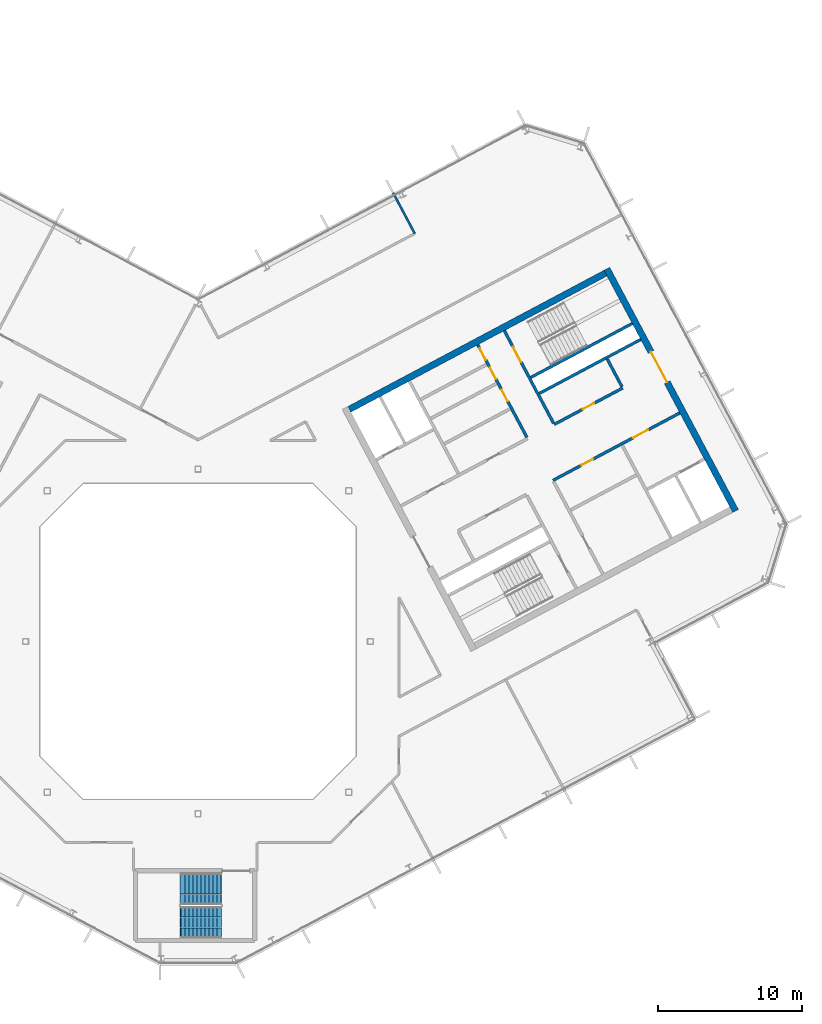
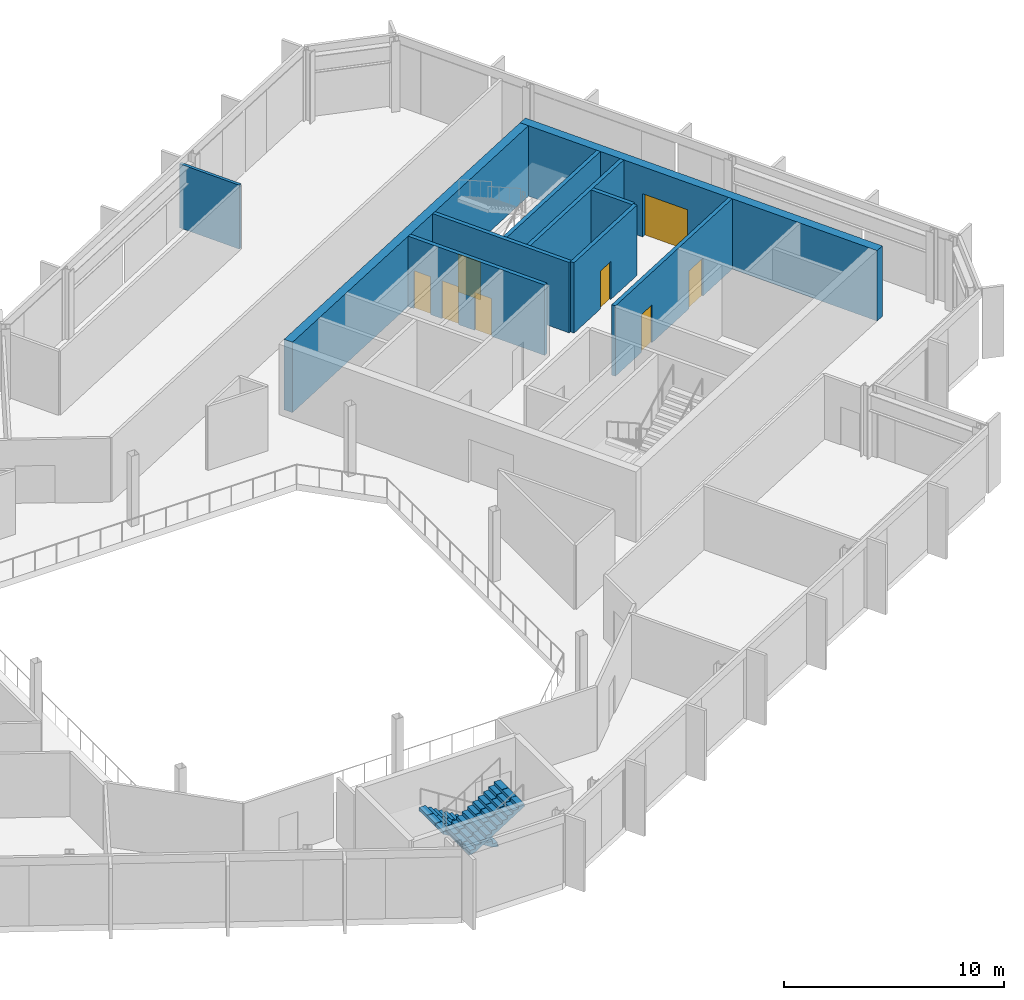
# One storey, part 16 of 25: 10 walls, 8 doors, 2 stair flights, 8 openings, 1 element without a shape of its own.
"""IFC4 building model written with IfcOpenShell, lengths in metres."""

from ifc_helpers import new_model, si_unit, direction, frame, frame_2d, origin, place, context, subcontext, project, spatial, polyline, rectangle, outline, extrude, material, layer, layer_set, type_object, element, fill, aggregate, save


model = new_model("IFC4")

# Units and contexts
model_context = context("Model", 3, precision=1e-05, world=origin(), true_north=direction((0.0, 1.0)))
body_context = subcontext(model_context, "Body", "Model", "MODEL_VIEW")
ifc_project = project(units=[si_unit("LENGTHUNIT", "METRE"), si_unit("AREAUNIT", "SQUARE_METRE"), si_unit("VOLUMEUNIT", "CUBIC_METRE"), si_unit("PLANEANGLEUNIT", "RADIAN"), si_unit("MASSUNIT", "GRAM", prefix="KILO")], contexts=[model_context])

# Site, building, storey
site_placement = place(None, origin())
site = spatial("IfcSite", under=ifc_project, at=site_placement, CompositionType="ELEMENT")
building_placement = place(site_placement, origin())
building = spatial("IfcBuilding", under=site, at=building_placement, Name="Cormorant Relay Tower", CompositionType="ELEMENT")
storey_placement = place(building_placement, frame((0.0, 0.0, 265.800048828125)))
storey = spatial("IfcBuildingStorey", under=building, at=storey_placement, Name="L59", CompositionType="ELEMENT", Elevation=265.800048828125)

# Wall, openings, doors
ifc_material_1 = material(Name="Concrete 50 MPa", Category="concrete")
ifc_layer_1 = layer(ifc_material_1, 0.199951171875)
ifc_layer_set_1 = layer_set([ifc_layer_1], Name="Core shaft wall 200")
wall_type_1 = type_object("IfcWallType", Name="Core shaft wall 200", PredefinedType="SHEAR", material=ifc_layer_set_1)
wall_1_placement = place(storey_placement, frame((22.90625, 14.218017578125, 0.0), z_axis=(0.0, 0.0, 1.0), x_axis=(-0.469480409012, 0.88294288918, 0.0)))
wall_1 = element("IfcWall", 1, at=wall_1_placement, inside=storey, type_object=wall_type_1, Name="L59 core B shaft wall", PredefinedType="SHEAR", context=body_context, shape_type="SweptSolid", body=[
    extrude(rectangle(XDim=7.300048828125, YDim=0.199951171875, at=frame_2d((3.64990234375, 0.0))), origin(), (0.0, 0.0, 1.0), 3.89990234375),
])
opening_1_placement = place(wall_1_placement, frame((2.85009765625, 0.0, 0.0)))
opening_1 = element("IfcOpeningElement", 2, at=opening_1_placement, cuts=wall_1, Name="Opening CDD-299", PredefinedType="OPENING", context=body_context, shape_type="SweptSolid", body=[
    extrude(rectangle(XDim=0.89990234375, YDim=2.10009765625, at=frame_2d((0.449951171875, 1.050048828125))), frame((0.0, 0.10986328125, 0.0), z_axis=(0.0, -1.0, 0.0), x_axis=(1.0, 0.0, 0.0)), (0.0, 0.0, 1.0), 0.219970703125),
])
opening_2_placement = place(wall_1_placement, frame((4.60009765625, 0.0, 0.0)))
opening_2 = element("IfcOpeningElement", 3, at=opening_2_placement, cuts=wall_1, Name="Opening CDD-300", PredefinedType="OPENING", context=body_context, shape_type="SweptSolid", body=[
    extrude(rectangle(XDim=0.89990234375, YDim=2.10009765625, at=frame_2d((0.449951171875, 1.050048828125))), frame((0.0, 0.10986328125, 0.0), z_axis=(0.0, -1.0, 0.0), x_axis=(1.0, 0.0, 0.0)), (0.0, 0.0, 1.0), 0.219970703125),
])
opening_3_placement = place(wall_1_placement, frame((6.10009765625, 0.0, 0.0)))
opening_3 = element("IfcOpeningElement", 4, at=opening_3_placement, cuts=wall_1, Name="Opening CDD-301", PredefinedType="OPENING", context=body_context, shape_type="SweptSolid", body=[
    extrude(rectangle(XDim=0.89990234375, YDim=2.10009765625, at=frame_2d((0.449951171875, 1.050048828125))), frame((0.0, 0.10986328125, 0.0), z_axis=(0.0, -1.0, 0.0), x_axis=(1.0, 0.0, 0.0)), (0.0, 0.0, 1.0), 0.219970703125),
])
ifc_material_2 = material(Name="Steel fire door", Category="steel")
door_type_1 = type_object("IfcDoorType", Name="Core room door 900x2100", OperationType="SINGLE_SWING_LEFT", PredefinedType="DOOR", material=ifc_material_2)
door_1_placement = place(opening_1_placement, origin())
door_1 = element("IfcDoor", 5, at=door_1_placement, inside=storey, type_object=door_type_1, Name="Core room door 900x2100", OperationType="SINGLE_SWING_RIGHT", OverallHeight=2.10009765625, OverallWidth=0.89990234375, PredefinedType="DOOR", context=body_context, shape_type="SweptSolid", body=[
    extrude(rectangle(XDim=0.89990234375, YDim=2.10009765625, at=frame_2d((0.449951171875, 1.050048828125))), frame((0.0, 0.02490234375, 0.0), z_axis=(0.0, -1.0, 0.0), x_axis=(1.0, 0.0, 0.0)), (0.0, 0.0, 1.0), 0.050048828125),
])
fill(opening_1, door_1)
door_2_placement = place(opening_2_placement, origin())
door_2 = element("IfcDoor", 6, at=door_2_placement, inside=storey, type_object=door_type_1, Name="Core room door 900x2100", OperationType="SINGLE_SWING_LEFT", OverallHeight=2.10009765625, OverallWidth=0.89990234375, PredefinedType="DOOR", context=body_context, shape_type="SweptSolid", body=[
    extrude(rectangle(XDim=0.89990234375, YDim=2.10009765625, at=frame_2d((0.449951171875, 1.050048828125))), frame((0.0, 0.02490234375, 0.0), z_axis=(0.0, -1.0, 0.0), x_axis=(1.0, 0.0, 0.0)), (0.0, 0.0, 1.0), 0.050048828125),
])
fill(opening_2, door_2)
door_3_placement = place(opening_3_placement, origin())
door_3 = element("IfcDoor", 7, at=door_3_placement, inside=storey, type_object=door_type_1, Name="Core room door 900x2100", OperationType="SINGLE_SWING_LEFT", OverallHeight=2.10009765625, OverallWidth=0.89990234375, PredefinedType="DOOR", context=body_context, shape_type="SweptSolid", body=[
    extrude(rectangle(XDim=0.89990234375, YDim=2.10009765625, at=frame_2d((0.449951171875, 1.050048828125))), frame((0.0, 0.02490234375, 0.0), z_axis=(0.0, -1.0, 0.0), x_axis=(1.0, 0.0, 0.0)), (0.0, 0.0, 1.0), 0.050048828125),
])
fill(opening_3, door_3)

# Wall, opening, door
wall_2_placement = place(storey_placement, frame((24.760498046875, 15.2041015625, 0.0), z_axis=(0.0, 0.0, 1.0), x_axis=(-0.469494272526, 0.882935517501, 0.0)))
wall_2 = element("IfcWall", 8, at=wall_2_placement, inside=storey, type_object=wall_type_1, Name="L59 core B shaft wall", PredefinedType="SHEAR", context=body_context, shape_type="SweptSolid", body=[
    extrude(rectangle(XDim=7.2998046875, YDim=0.199951171875, at=frame_2d((3.64990234375, 0.0))), origin(), (0.0, 0.0, 1.0), 3.89990234375),
])
opening_4_placement = place(wall_2_placement, frame((4.800048828125, 0.0, 0.0)))
opening_4 = element("IfcOpeningElement", 9, at=opening_4_placement, cuts=wall_2, Name="Opening CDB-041", PredefinedType="OPENING", context=body_context, shape_type="SweptSolid", body=[
    extrude(rectangle(XDim=1.199951171875, YDim=2.10009765625, at=frame_2d((0.60009765625, 1.050048828125))), frame((0.0, 0.10986328125, 0.0), z_axis=(0.0, -1.0, 0.0), x_axis=(1.0, 0.0, 0.0)), (0.0, 0.0, 1.0), 0.219970703125),
])
ifc_material_3 = material(Name="Steel fire door", Category="steel")
door_type_2 = type_object("IfcDoorType", Name="Core stair door 1200x2100", OperationType="SINGLE_SWING_LEFT", PredefinedType="DOOR", material=ifc_material_3)
door_4_placement = place(opening_4_placement, frame((1.199951171875, 0.0, 0.0), z_axis=(0.0, 0.0, 1.0), x_axis=(-1.0, 0.0, 0.0)))
door_4 = element("IfcDoor", 10, at=door_4_placement, inside=storey, type_object=door_type_2, Name="Core stair door 1200x2100", OperationType="SINGLE_SWING_RIGHT", OverallHeight=2.10009765625, OverallWidth=1.199951171875, PredefinedType="DOOR", context=body_context, shape_type="SweptSolid", body=[
    extrude(rectangle(XDim=1.199951171875, YDim=2.10009765625, at=frame_2d((0.60009765625, 1.050048828125))), frame((0.0, 0.02490234375, 0.0), z_axis=(0.0, -1.0, 0.0), x_axis=(1.0, 0.0, 0.0)), (0.0, 0.0, 1.0), 0.050048828125),
])
fill(opening_4, door_4)

# Wall
wall_3_placement = place(storey_placement, frame((29.5283203125, 17.739013671875, 0.0), z_axis=(0.0, 0.0, 1.0), x_axis=(-0.469401318492, 0.882984938828, 0.0)))
element("IfcWall", 11, at=wall_3_placement, inside=storey, type_object=wall_type_1, Name="L59 core B shaft wall", PredefinedType="SHEAR", context=body_context, shape_type="SweptSolid", body=[
    extrude(rectangle(XDim=2.199951171875, YDim=0.199951171875, at=frame_2d((1.10009765625, 0.0))), origin(), (0.0, 0.0, 1.0), 3.89990234375),
])

# Wall, openings, doors
wall_4_placement = place(storey_placement, frame((24.72607421875, 11.2216796875, 0.0), z_axis=(0.0, 0.0, 1.0), x_axis=(0.882940221191, 0.469485426614, 0.0)))
wall_4 = element("IfcWall", 12, at=wall_4_placement, inside=storey, type_object=wall_type_1, Name="L59 core B shaft wall", PredefinedType="SHEAR", context=body_context, shape_type="SweptSolid", body=[
    extrude(rectangle(XDim=10.0, YDim=0.199951171875, at=frame_2d((5.0, 0.0))), origin(), (0.0, 0.0, 1.0), 3.89990234375),
])
opening_5_placement = place(wall_4_placement, frame((6.300048828125, 0.0, 0.0)))
opening_5 = element("IfcOpeningElement", 13, at=opening_5_placement, cuts=wall_4, Name="Opening CDC-038", PredefinedType="OPENING", context=body_context, shape_type="SweptSolid", body=[
    extrude(rectangle(XDim=1.199951171875, YDim=2.10009765625, at=frame_2d((0.60009765625, 1.050048828125))), frame((0.0, 0.10986328125, 0.0), z_axis=(0.0, -1.0, 0.0), x_axis=(1.0, 0.0, 0.0)), (0.0, 0.0, 1.0), 0.219970703125),
])
opening_6_placement = place(wall_4_placement, frame((2.25, 0.0, 0.0)))
opening_6 = element("IfcOpeningElement", 14, at=opening_6_placement, cuts=wall_4, Name="Opening CDD-263", PredefinedType="OPENING", context=body_context, shape_type="SweptSolid", body=[
    extrude(rectangle(XDim=0.89990234375, YDim=2.10009765625, at=frame_2d((0.449951171875, 1.050048828125))), frame((0.0, 0.10986328125, 0.0), z_axis=(0.0, -1.0, 0.0), x_axis=(1.0, 0.0, 0.0)), (0.0, 0.0, 1.0), 0.219970703125),
])
ifc_material_4 = material(Name="Steel fire door", Category="steel")
door_type_3 = type_object("IfcDoorType", Name="Core lobby door 1200x2100", OperationType="SINGLE_SWING_LEFT", PredefinedType="DOOR", material=ifc_material_4)
door_5_placement = place(opening_5_placement, origin())
door_5 = element("IfcDoor", 15, at=door_5_placement, inside=storey, type_object=door_type_3, Name="Core lobby door 1200x2100", OperationType="SINGLE_SWING_LEFT", OverallHeight=2.10009765625, OverallWidth=1.199951171875, PredefinedType="DOOR", context=body_context, shape_type="SweptSolid", body=[
    extrude(rectangle(XDim=1.199951171875, YDim=2.10009765625, at=frame_2d((0.60009765625, 1.050048828125))), frame((0.0, 0.02490234375, 0.0), z_axis=(0.0, -1.0, 0.0), x_axis=(1.0, 0.0, 0.0)), (0.0, 0.0, 1.0), 0.050048828125),
])
fill(opening_5, door_5)
door_6_placement = place(opening_6_placement, frame((0.89990234375, 0.0, 0.0), z_axis=(0.0, 0.0, 1.0), x_axis=(-1.0, 0.0, 0.0)))
door_6 = element("IfcDoor", 16, at=door_6_placement, inside=storey, type_object=door_type_1, Name="Core room door 900x2100", OperationType="SINGLE_SWING_RIGHT", OverallHeight=2.10009765625, OverallWidth=0.89990234375, PredefinedType="DOOR", context=body_context, shape_type="SweptSolid", body=[
    extrude(rectangle(XDim=0.89990234375, YDim=2.10009765625, at=frame_2d((0.449951171875, 1.050048828125))), frame((0.0, 0.02490234375, 0.0), z_axis=(0.0, -1.0, 0.0), x_axis=(1.0, 0.0, 0.0)), (0.0, 0.0, 1.0), 0.050048828125),
])
fill(opening_6, door_6)

# Wall, opening, door
wall_5_placement = place(storey_placement, frame((24.807373046875, 15.11572265625, 0.0), z_axis=(0.0, 0.0, 1.0), x_axis=(0.882942972946, 0.469480251476, 0.0)))
wall_5 = element("IfcWall", 17, at=wall_5_placement, inside=storey, type_object=wall_type_1, Name="L59 core B shaft wall", PredefinedType="SHEAR", context=body_context, shape_type="SweptSolid", body=[
    extrude(rectangle(XDim=5.39990234375, YDim=0.199951171875, at=frame_2d((2.699951171875, 0.0))), origin(), (0.0, 0.0, 1.0), 3.89990234375),
])
opening_7_placement = place(wall_5_placement, frame((2.25, 0.0, 0.0)))
opening_7 = element("IfcOpeningElement", 18, at=opening_7_placement, cuts=wall_5, Name="Opening CDD-261", PredefinedType="OPENING", context=body_context, shape_type="SweptSolid", body=[
    extrude(rectangle(XDim=0.89990234375, YDim=2.10009765625, at=frame_2d((0.449951171875, 1.050048828125))), frame((0.0, 0.10986328125, 0.0), z_axis=(0.0, -1.0, 0.0), x_axis=(1.0, 0.0, 0.0)), (0.0, 0.0, 1.0), 0.219970703125),
])
door_7_placement = place(opening_7_placement, origin())
door_7 = element("IfcDoor", 19, at=door_7_placement, inside=storey, type_object=door_type_1, Name="Core room door 900x2100", OperationType="SINGLE_SWING_LEFT", OverallHeight=2.10009765625, OverallWidth=0.89990234375, PredefinedType="DOOR", context=body_context, shape_type="SweptSolid", body=[
    extrude(rectangle(XDim=0.89990234375, YDim=2.10009765625, at=frame_2d((0.449951171875, 1.050048828125))), frame((0.0, 0.02490234375, 0.0), z_axis=(0.0, -1.0, 0.0), x_axis=(1.0, 0.0, 0.0)), (0.0, 0.0, 1.0), 0.050048828125),
])
fill(opening_7, door_7)

# Walls
wall_6_placement = place(storey_placement, frame((23.76904296875, 17.28173828125, 0.0), z_axis=(0.0, 0.0, 1.0), x_axis=(0.882940221191, 0.469485426614, 0.0)))
element("IfcWall", 20, at=wall_6_placement, inside=storey, type_object=wall_type_1, Name="L59 core B shaft wall", PredefinedType="SHEAR", context=body_context, shape_type="SweptSolid", body=[
    extrude(rectangle(XDim=8.0, YDim=0.199951171875, at=frame_2d((4.0, 0.0))), origin(), (0.0, 0.0, 1.0), 3.89990234375),
])
wall_7_placement = place(storey_placement, frame((23.18212890625, 18.385498046875, 0.0), z_axis=(0.0, 0.0, 1.0), x_axis=(0.88295287151, 0.469461634952, 0.0)))
element("IfcWall", 21, at=wall_7_placement, inside=storey, type_object=wall_type_1, Name="L59 core B shaft wall", PredefinedType="SHEAR", context=body_context, shape_type="SweptSolid", body=[
    extrude(rectangle(XDim=7.999755859375, YDim=0.199951171875, at=frame_2d((4.0, 0.0))), origin(), (0.0, 0.0, 1.0), 3.89990234375),
])

# Wall, opening, door
ifc_material_5 = material(Name="Concrete 50 MPa", Category="concrete")
ifc_layer_2 = layer(ifc_material_5, 0.449951171875)
ifc_layer_set_2 = layer_set([ifc_layer_2], Name="Core wall 450")
wall_type_2 = type_object("IfcWallType", Name="Core wall 450", PredefinedType="SHEAR", material=ifc_layer_set_2)
wall_8_placement = place(storey_placement, frame((37.439453125, 9.0908203125, 0.0), z_axis=(0.0, 0.0, 1.0), x_axis=(-0.469467968382, 0.882949504028, 0.0)))
wall_8 = element("IfcWall", 22, at=wall_8_placement, inside=storey, type_object=wall_type_2, Name="L59 core B wall", PredefinedType="SHEAR", context=body_context, shape_type="SweptSolid", body=[
    extrude(rectangle(XDim=19.099853515625, YDim=0.449951171875, at=frame_2d((9.5498046875, 0.0))), origin(), (0.0, 0.0, 1.0), 3.89990234375),
])
opening_8_placement = place(wall_8_placement, frame((10.14990234375, 0.0, 0.0)))
opening_8 = element("IfcOpeningElement", 23, at=opening_8_placement, cuts=wall_8, Name="Opening CDA-053", PredefinedType="OPENING", context=body_context, shape_type="SweptSolid", body=[
    extrude(rectangle(XDim=2.39990234375, YDim=2.39990234375, at=frame_2d((1.199951171875, 1.199951171875))), frame((0.0, 0.23486328125, 0.0), z_axis=(0.0, -1.0, 0.0), x_axis=(1.0, 0.0, 0.0)), (0.0, 0.0, 1.0), 0.469970703125),
])
ifc_material_6 = material(Name="Steel fire door", Category="steel")
door_type_4 = type_object("IfcDoorType", Name="Core lobby door 2400x2400", OperationType="DOUBLE_DOOR_SINGLE_SWING", PredefinedType="DOOR", material=ifc_material_6)
door_8_placement = place(opening_8_placement, origin())
door_8 = element("IfcDoor", 24, at=door_8_placement, inside=storey, type_object=door_type_4, Name="Core lobby door 2400x2400", OperationType="DOUBLE_DOOR_SINGLE_SWING", OverallHeight=2.39990234375, OverallWidth=2.39990234375, PredefinedType="DOOR", context=body_context, shape_type="SweptSolid", body=[
    extrude(rectangle(XDim=2.39990234375, YDim=2.39990234375, at=frame_2d((1.199951171875, 1.199951171875))), frame((0.0, 0.02490234375, 0.0), z_axis=(0.0, -1.0, 0.0), x_axis=(1.0, 0.0, 0.0)), (0.0, 0.0, 1.0), 0.050048828125),
])
fill(opening_8, door_8)

# Walls
wall_9_placement = place(storey_placement, frame((10.5439453125, 16.16748046875, 0.0), z_axis=(0.0, 0.0, 1.0), x_axis=(0.882947755831, 0.46947125628, 0.0)))
element("IfcWall", 25, at=wall_9_placement, inside=storey, type_object=wall_type_2, Name="L59 core B wall", PredefinedType="SHEAR", context=body_context, shape_type="SweptSolid", body=[
    extrude(rectangle(XDim=20.2001953125, YDim=0.449951171875, at=frame_2d((10.10009765625, 0.0))), origin(), (0.0, 0.0, 1.0), 3.89990234375),
])
ifc_material_7 = material(Name="Gypsum board partition")
ifc_layer_3 = layer(ifc_material_7, 0.14990234375)
ifc_layer_set_3 = layer_set([ifc_layer_3], Name="Tenant partition 150")
wall_type_3 = type_object("IfcWallType", Name="Tenant partition 150", PredefinedType="PARTITIONING", material=ifc_layer_set_3)
wall_10_placement = place(storey_placement, frame((15.093994140625, 28.412109375, 0.0), z_axis=(0.0, 0.0, 1.0), x_axis=(-0.469082703107, 0.883154243406, 0.0)))
element("IfcWall", 26, at=wall_10_placement, inside=storey, type_object=wall_type_3, Name="wall/L59/part/031", PredefinedType="PARTITIONING", context=body_context, shape_type="SweptSolid", body=[
    extrude(rectangle(XDim=3.19970703125, YDim=0.14990234375, at=frame_2d((1.599853515625, 0.0))), origin(), (0.0, 0.0, 1.0), 3.5400390625),
])

# Stair, stair flights
ifc_material_8 = material(Name="Concrete 40 MPa", Category="concrete")
stair_type = type_object("IfcStairType", Name="Remote exit stair 2200", PredefinedType="HALF_TURN_STAIR", material=ifc_material_8)
stair_placement = place(storey_placement, origin())
stair = element("IfcStair", 27, at=stair_placement, inside=storey, type_object=stair_type, Name="L59 Stair", PredefinedType="HALF_TURN_STAIR")
ifc_material_9 = material(Name="Concrete 40 MPa", Category="concrete")
stair_flight_type = type_object("IfcStairFlightType", Name="Remote exit stair flight 2200", PredefinedType="STRAIGHT", material=ifc_material_9)
stair_flight_1_placement = place(storey_placement, frame((1.60009765625, -17.22509765625, 0.0), z_axis=(0.0, 0.0, 1.0), x_axis=(-1.0, 0.0, 0.0)))
stair_flight_1 = element("IfcStairFlight", 28, at=stair_flight_1_placement, type_object=stair_flight_type, Name="RK1 flight 1", NumberOfRisers=11, NumberOfTreads=10, PredefinedType="STRAIGHT", RiserHeight=0.177272727, TreadLength=0.28, context=body_context, shape_type="SweptSolid", body=[
    extrude(outline(polyline([(-0.050048828125, -0.080078125), (-0.050048828125, 0.0), (0.0, 0.0), (0.0, 0.17724609375), (0.280029296875, 0.17724609375), (0.280029296875, 0.3544921875), (0.56005859375, 0.3544921875), (0.56005859375, 0.53173828125), (0.840087890625, 0.53173828125), (0.840087890625, 0.708984375), (1.1201171875, 0.708984375), (1.1201171875, 0.886474609375), (1.39990234375, 0.886474609375), (1.39990234375, 1.063720703125), (1.679931640625, 1.063720703125), (1.679931640625, 1.240966796875), (1.9599609375, 1.240966796875), (1.9599609375, 1.418212890625), (2.239990234375, 1.418212890625), (2.239990234375, 1.595458984375), (2.52001953125, 1.595458984375), (2.52001953125, 1.772705078125), (2.800048828125, 1.772705078125), (2.85009765625, 1.772705078125), (2.85009765625, 1.59521484375), (2.800048828125, 1.59521484375), (0.2802734375, 0.0), (-0.050048828125, -0.080078125)])), frame((0.0, 1.10009765625, 0.0), z_axis=(0.0, -1.0, 0.0), x_axis=(1.0, 0.0, 0.0)), (0.0, 0.0, 1.0), 0.719970703125),
    extrude(outline(polyline([(-0.050048828125, -0.080078125), (-0.050048828125, 0.0), (0.0, 0.0), (0.0, 0.17724609375), (0.280029296875, 0.17724609375), (0.280029296875, 0.3544921875), (0.56005859375, 0.3544921875), (0.56005859375, 0.53173828125), (0.840087890625, 0.53173828125), (0.840087890625, 0.708984375), (1.1201171875, 0.708984375), (1.1201171875, 0.886474609375), (1.39990234375, 0.886474609375), (1.39990234375, 1.063720703125), (1.679931640625, 1.063720703125), (1.679931640625, 1.240966796875), (1.9599609375, 1.240966796875), (1.9599609375, 1.418212890625), (2.239990234375, 1.418212890625), (2.239990234375, 1.595458984375), (2.52001953125, 1.595458984375), (2.52001953125, 1.772705078125), (2.800048828125, 1.772705078125), (2.85009765625, 1.772705078125), (2.85009765625, 1.59521484375), (2.800048828125, 1.59521484375), (0.2802734375, 0.0), (-0.050048828125, -0.080078125)])), frame((0.0, 0.360107421875, 0.0), z_axis=(0.0, -1.0, 0.0), x_axis=(1.0, 0.0, 0.0)), (0.0, 0.0, 1.0), 0.719970703125),
    extrude(outline(polyline([(-0.050048828125, -0.080078125), (-0.050048828125, 0.0), (0.0, 0.0), (0.0, 0.17724609375), (0.280029296875, 0.17724609375), (0.280029296875, 0.3544921875), (0.56005859375, 0.3544921875), (0.56005859375, 0.53173828125), (0.840087890625, 0.53173828125), (0.840087890625, 0.708984375), (1.1201171875, 0.708984375), (1.1201171875, 0.886474609375), (1.39990234375, 0.886474609375), (1.39990234375, 1.063720703125), (1.679931640625, 1.063720703125), (1.679931640625, 1.240966796875), (1.9599609375, 1.240966796875), (1.9599609375, 1.418212890625), (2.239990234375, 1.418212890625), (2.239990234375, 1.595458984375), (2.52001953125, 1.595458984375), (2.52001953125, 1.772705078125), (2.800048828125, 1.772705078125), (2.85009765625, 1.772705078125), (2.85009765625, 1.59521484375), (2.800048828125, 1.59521484375), (0.2802734375, 0.0), (-0.050048828125, -0.080078125)])), frame((0.0, -0.3798828125, 0.0), z_axis=(0.0, -1.0, 0.0), x_axis=(1.0, 0.0, 0.0)), (0.0, 0.0, 1.0), 0.719970703125),
])
stair_flight_2_placement = place(storey_placement, frame((-1.199951171875, -19.574951171875, 1.949951171875), z_axis=(0.0, 0.0, 1.0), x_axis=(1.0, 0.0, 0.0)))
stair_flight_2 = element("IfcStairFlight", 29, at=stair_flight_2_placement, type_object=stair_flight_type, Name="RK1 flight 2", NumberOfRisers=11, NumberOfTreads=10, PredefinedType="STRAIGHT", RiserHeight=0.177272727, TreadLength=0.28, context=body_context, shape_type="SweptSolid", body=[
    extrude(outline(polyline([(-0.050048828125, -0.080078125), (-0.050048828125, 0.0), (0.0, 0.0), (0.0, 0.17724609375), (0.280029296875, 0.17724609375), (0.280029296875, 0.3544921875), (0.56005859375, 0.3544921875), (0.56005859375, 0.53173828125), (0.840087890625, 0.53173828125), (0.840087890625, 0.708984375), (1.1201171875, 0.708984375), (1.1201171875, 0.886474609375), (1.39990234375, 0.886474609375), (1.39990234375, 1.063720703125), (1.679931640625, 1.063720703125), (1.679931640625, 1.240966796875), (1.9599609375, 1.240966796875), (1.9599609375, 1.418212890625), (2.239990234375, 1.418212890625), (2.239990234375, 1.595458984375), (2.52001953125, 1.595458984375), (2.52001953125, 1.772705078125), (2.800048828125, 1.772705078125), (2.85009765625, 1.772705078125), (2.85009765625, 1.59521484375), (2.800048828125, 1.59521484375), (0.2802734375, 0.0), (-0.050048828125, -0.080078125)])), frame((0.0, 1.10009765625, 0.0), z_axis=(0.0, -1.0, 0.0), x_axis=(1.0, 0.0, 0.0)), (0.0, 0.0, 1.0), 0.719970703125),
    extrude(outline(polyline([(-0.050048828125, -0.080078125), (-0.050048828125, 0.0), (0.0, 0.0), (0.0, 0.17724609375), (0.280029296875, 0.17724609375), (0.280029296875, 0.3544921875), (0.56005859375, 0.3544921875), (0.56005859375, 0.53173828125), (0.840087890625, 0.53173828125), (0.840087890625, 0.708984375), (1.1201171875, 0.708984375), (1.1201171875, 0.886474609375), (1.39990234375, 0.886474609375), (1.39990234375, 1.063720703125), (1.679931640625, 1.063720703125), (1.679931640625, 1.240966796875), (1.9599609375, 1.240966796875), (1.9599609375, 1.418212890625), (2.239990234375, 1.418212890625), (2.239990234375, 1.595458984375), (2.52001953125, 1.595458984375), (2.52001953125, 1.772705078125), (2.800048828125, 1.772705078125), (2.85009765625, 1.772705078125), (2.85009765625, 1.59521484375), (2.800048828125, 1.59521484375), (0.2802734375, 0.0), (-0.050048828125, -0.080078125)])), frame((0.0, 0.360107421875, 0.0), z_axis=(0.0, -1.0, 0.0), x_axis=(1.0, 0.0, 0.0)), (0.0, 0.0, 1.0), 0.719970703125),
    extrude(outline(polyline([(-0.050048828125, -0.080078125), (-0.050048828125, 0.0), (0.0, 0.0), (0.0, 0.17724609375), (0.280029296875, 0.17724609375), (0.280029296875, 0.3544921875), (0.56005859375, 0.3544921875), (0.56005859375, 0.53173828125), (0.840087890625, 0.53173828125), (0.840087890625, 0.708984375), (1.1201171875, 0.708984375), (1.1201171875, 0.886474609375), (1.39990234375, 0.886474609375), (1.39990234375, 1.063720703125), (1.679931640625, 1.063720703125), (1.679931640625, 1.240966796875), (1.9599609375, 1.240966796875), (1.9599609375, 1.418212890625), (2.239990234375, 1.418212890625), (2.239990234375, 1.595458984375), (2.52001953125, 1.595458984375), (2.52001953125, 1.772705078125), (2.800048828125, 1.772705078125), (2.85009765625, 1.772705078125), (2.85009765625, 1.59521484375), (2.800048828125, 1.59521484375), (0.2802734375, 0.0), (-0.050048828125, -0.080078125)])), frame((0.0, -0.3798828125, 0.0), z_axis=(0.0, -1.0, 0.0), x_axis=(1.0, 0.0, 0.0)), (0.0, 0.0, 1.0), 0.719970703125),
])
aggregate(stair, [stair_flight_1, stair_flight_2])

save(model, "model.ifc")
